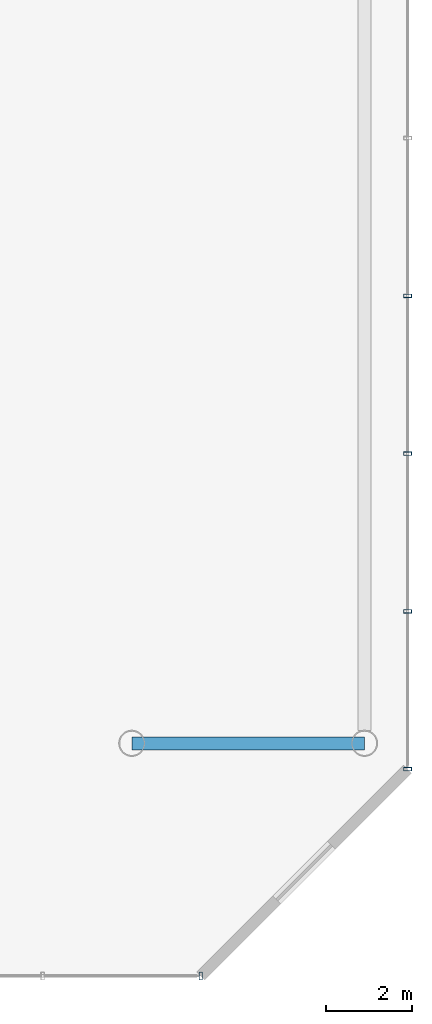
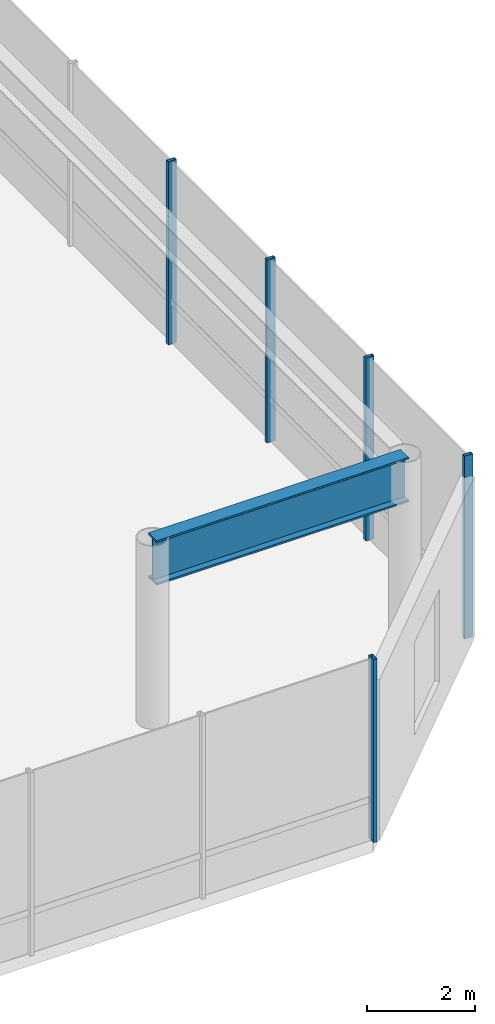
# One storey, part 26 of 37: 5 members, 1 beam, 2 elements without a shape of their own.
"""IFC4 building model written with IfcOpenShell, lengths in metres."""

import ifcopenshell
import ifcopenshell.guid

model = None  # the IFC model being written
_history = None  # IfcOwnerHistory: only IFC2X3 demands one
_inside = {}  # id of a spatial element -> (the spatial element, [elements in it])
_under = {}  # id of a project, library or spatial element -> (it, [spatial elements below it])
_declared = {}  # id of a project -> (the project, [libraries it declares])
_typed = {}  # id of a type object -> (the type object, [elements of that type])
_made_of = {}  # id of a material, layer set ... -> (it, [elements and type objects made of it])


def new_model(schema):
    """Start an empty IFC model of exactly this schema.

    Asked for "IFC4X3", IfcOpenShell would pick the latest addendum, in which some entities
    have other attributes; the version numbers below select the first issue.
    IFC2X3 requires an IfcOwnerHistory on every rooted entity: one is made here for all.
    """
    global model, _history
    if schema == "IFC4X3":
        model = ifcopenshell.file(schema_version=(4, 3, 0, 0))
    else:
        model = ifcopenshell.file(schema=schema)
    _inside.clear()
    _under.clear()
    _declared.clear()
    _typed.clear()
    _made_of.clear()
    _history = None
    if model.schema == "IFC2X3":
        org = make("IfcOrganization", Name="unknown")
        user = make(
            "IfcPersonAndOrganization",
            ThePerson=make("IfcPerson", FamilyName="unknown"),
            TheOrganization=org,
        )
        app = make(
            "IfcApplication",
            ApplicationDeveloper=org,
            Version="unknown",
            ApplicationFullName="unknown",
            ApplicationIdentifier="unknown",
        )
        _history = make(
            "IfcOwnerHistory",
            OwningUser=user,
            OwningApplication=app,
            ChangeAction="ADDED",
            CreationDate=0,
        )
    return model


def make(cls, **values):
    """One entity of the class cls with the attributes given. An attribute that is None is left unset."""
    return model.create_entity(
        cls, **{name: value for name, value in values.items() if value is not None}
    )


def rooted(cls, **values):
    """An entity with a GlobalId (a new one), such as an element, a storey or a relation."""
    return make(cls, GlobalId=ifcopenshell.guid.new(), OwnerHistory=_history, **values)


def si_unit(unit_type, name, prefix=None):
    """IfcSIUnit, for example si_unit("LENGTHUNIT", "METRE", prefix="MILLI")."""
    return make("IfcSIUnit", UnitType=unit_type, Prefix=prefix, Name=name)


def assignment(units):
    """IfcUnitAssignment: the units of a project."""
    return None if units is None else make("IfcUnitAssignment", Units=units)


def point(xyz):
    """IfcCartesianPoint."""
    return None if xyz is None else make("IfcCartesianPoint", Coordinates=xyz)


def direction(xyz):
    """IfcDirection."""
    return None if xyz is None else make("IfcDirection", DirectionRatios=xyz)


def frame(location, z_axis=None, x_axis=None):
    """IfcAxis2Placement3D, a coordinate frame: its origin and axes. An axis left out is left unset."""
    return make(
        "IfcAxis2Placement3D",
        Location=point(location),
        Axis=direction(z_axis),
        RefDirection=direction(x_axis),
    )


def frame_2d(location, x_axis=None):
    """IfcAxis2Placement2D, a coordinate frame in the plane: its origin and x axis."""
    return make(
        "IfcAxis2Placement2D", Location=point(location), RefDirection=direction(x_axis)
    )


def origin():
    """The frame at (0, 0, 0) with its axes left unset."""
    return frame((0.0, 0.0, 0.0))


def origin_2d():
    """The frame at (0, 0) in the plane with its x axis left unset."""
    return frame_2d((0.0, 0.0))


def place(relative_to, where):
    """IfcLocalPlacement: puts the frame where relative to a parent placement (None: the world)."""
    return make(
        "IfcLocalPlacement", PlacementRelTo=relative_to, RelativePlacement=where
    )


def context(
    kind, dimensions, precision=None, world=None, true_north=None, identifier=None
):
    """IfcGeometricRepresentationContext, for example the 3D "Model" context."""
    return make(
        "IfcGeometricRepresentationContext",
        ContextIdentifier=identifier,
        ContextType=kind,
        CoordinateSpaceDimension=dimensions,
        Precision=precision,
        WorldCoordinateSystem=world,
        TrueNorth=true_north,
    )


def subcontext(parent, identifier, kind, view, scale=None):
    """IfcGeometricRepresentationSubContext, for example "Body" below "Model"."""
    return make(
        "IfcGeometricRepresentationSubContext",
        ContextIdentifier=identifier,
        ContextType=kind,
        ParentContext=parent,
        TargetScale=scale,
        TargetView=view,
    )


def project(units=None, contexts=None):
    """IfcProject with its units and contexts."""
    return rooted(
        "IfcProject",
        Name="project",
        RepresentationContexts=contexts,
        UnitsInContext=assignment(units),
    )


def spatial(cls, under=None, at=None, **own):
    """A site, building, storey or space (cls), placed at a placement, below another one or the project."""
    s = rooted(cls, ObjectPlacement=at, **own)
    if under is not None:
        _under.setdefault(under.id(), (under, []))[1].append(s)
    return s


def profile(cls, at=None, kind="AREA", **sizes):
    """A parametric profile (cls). Its sizes go by their IFC names, for example OverallWidth=200.0."""
    return make(cls, ProfileType=kind, Position=at, **sizes)


def hollow_rectangle(**sizes):
    """IfcRectangleHollowProfileDef."""
    return profile("IfcRectangleHollowProfileDef", **sizes)


def i_section(**sizes):
    """IfcIShapeProfileDef."""
    return profile("IfcIShapeProfileDef", **sizes)


def extrude(swept, where, along, depth):
    """IfcExtrudedAreaSolid: the profile swept, set in the frame where, extruded along a direction by depth."""
    return make(
        "IfcExtrudedAreaSolid",
        SweptArea=swept,
        Position=where,
        ExtrudedDirection=direction(along),
        Depth=depth,
    )


def shape(context_of_items, identifier, shape_type, items):
    """IfcShapeRepresentation: the items that make up one representation, for example the "Body"."""
    return make(
        "IfcShapeRepresentation",
        ContextOfItems=context_of_items,
        RepresentationIdentifier=identifier,
        RepresentationType=shape_type,
        Items=items,
    )


def material(Name=None, Category=None):
    """IfcMaterial."""
    return make("IfcMaterial", Name=Name, Category=Category)


def layer(
    of_material, thickness, ventilated=None, Name=None, Category=None, Priority=None
):
    """IfcMaterialLayer: one layer of a wall or slab, of a material (None: an air gap)."""
    return make(
        "IfcMaterialLayer",
        Material=of_material,
        LayerThickness=thickness,
        IsVentilated=ventilated,
        Name=Name,
        Category=Category,
        Priority=Priority,
    )


def layer_set(layers, Name=None):
    """IfcMaterialLayerSet."""
    return make("IfcMaterialLayerSet", MaterialLayers=layers, LayerSetName=Name)


def material_profile(
    of_material, cross_section, Name=None, Category=None, Priority=None
):
    """IfcMaterialProfile: a cross section and its material."""
    return make(
        "IfcMaterialProfile",
        Name=Name,
        Material=of_material,
        Profile=cross_section,
        Priority=Priority,
        Category=Category,
    )


def profile_set(profiles, Name=None, composite=None):
    """IfcMaterialProfileSet."""
    return make(
        "IfcMaterialProfileSet",
        Name=Name,
        MaterialProfiles=profiles,
        CompositeProfile=composite,
    )


def made_of(thing, what):
    """Note that an element or type object is made of a material, layer set ...; save() writes the relation."""
    if what is not None:
        _made_of.setdefault(what.id(), (what, []))[1].append(thing)
    return thing


def type_object(cls, material=None, **own):
    """A type object (cls), such as IfcWallType, which elements share."""
    return made_of(rooted(cls, **own), material)


def element(
    cls,
    number,
    at=None,
    inside=None,
    cuts=None,
    type_object=None,
    material=None,
    context=None,
    identifier="Body",
    shape_type=None,
    held_by="IfcProductDefinitionShape",
    body=None,
    shapes=None,
    **own,
):
    """One element of the class cls, such as IfcWall. Its Tag is "e" and its number.

    at: its placement. inside: the storey or other place that contains it. cuts: it is an
    opening in that element (IfcRelVoidsElement). A single representation is given by context,
    identifier, shape_type and body (its items); several are given by shapes. held_by: the class
    of the entity that holds the representations. save() writes the other relations.
    """
    e = rooted(cls, Tag="e%d" % number, ObjectPlacement=at, **own)
    if body is not None:
        shapes = [shape(context, identifier, shape_type, body)]
    if shapes is not None:
        e.Representation = make(held_by, Representations=shapes)
    if inside is not None:
        _inside.setdefault(inside.id(), (inside, []))[1].append(e)
    if cuts is not None:
        rooted(
            "IfcRelVoidsElement", RelatingBuildingElement=cuts, RelatedOpeningElement=e
        )
    if type_object is not None:
        _typed.setdefault(type_object.id(), (type_object, []))[1].append(e)
    return made_of(e, material)


def aggregate(whole, parts):
    """IfcRelAggregates: a whole, such as a stair, and the parts it consists of."""
    return rooted("IfcRelAggregates", RelatingObject=whole, RelatedObjects=parts)


def save(model, path):
    """Write the relations noted so far, then the file.

    IfcRelAggregates (storeys below a building ...), IfcRelContainedInSpatialStructure (elements
    in a storey), IfcRelDefinesByType, IfcRelAssociatesMaterial and IfcRelDeclares: one each for
    every whole, place, type object, material and project.
    """
    for whole, parts in _under.values():
        aggregate(whole, parts)
    for where, things in _inside.values():
        rooted(
            "IfcRelContainedInSpatialStructure",
            RelatedElements=things,
            RelatingStructure=where,
        )
    for kind, things in _typed.values():
        rooted("IfcRelDefinesByType", RelatedObjects=things, RelatingType=kind)
    for what, things in _made_of.values():
        rooted("IfcRelAssociatesMaterial", RelatedObjects=things, RelatingMaterial=what)
    for by, libraries in _declared.values():
        rooted("IfcRelDeclares", RelatingContext=by, RelatedDefinitions=libraries)
    model.write(path)


model = new_model("IFC4")

# Units and contexts
model_context = context("Model", 3, precision=1e-05, world=origin(), true_north=direction((0.0, 1.0)))
body_context = subcontext(model_context, "Body", "Model", "MODEL_VIEW")
ifc_project = project(units=[si_unit("LENGTHUNIT", "METRE"), si_unit("AREAUNIT", "SQUARE_METRE"), si_unit("VOLUMEUNIT", "CUBIC_METRE"), si_unit("PLANEANGLEUNIT", "RADIAN"), si_unit("MASSUNIT", "GRAM", prefix="KILO")], contexts=[model_context])

# Site, building, storey
site_placement = place(None, origin())
site = spatial("IfcSite", under=ifc_project, at=site_placement, CompositionType="ELEMENT")
building_placement = place(site_placement, origin())
building = spatial("IfcBuilding", under=site, at=building_placement, Name="Zarrinselat Tower", CompositionType="ELEMENT")
storey_placement = place(building_placement, frame((0.0, 0.0, 9.52001953125)))
storey = spatial("IfcBuildingStorey", under=building, at=storey_placement, Name="L02", CompositionType="ELEMENT", Elevation=9.52001953125)

# Beam
ifc_material_1 = material(Name="Steel S460M", Category="steel")
ifc_material_profile_1 = material_profile(ifc_material_1, i_section(OverallWidth=0.302001953125, OverallDepth=1.008056640625, WebThickness=0.02099609375, FlangeThickness=0.0400390625, at=origin_2d()), Name="HEM 1000")
ifc_profile_set_1 = profile_set([ifc_material_profile_1], Name="Steel S460M")
beam_type = type_object("IfcBeamType", Name="BM-PDTR-HEM1000", PredefinedType="BEAM", material=ifc_profile_set_1)
beam_placement = place(storey_placement, frame((68.0, 11.0, 3.635986328125), z_axis=(1.0, 0.0, 0.0), x_axis=(0.0, 1.0, 0.0)))
element("IfcBeam", 1, at=beam_placement, inside=storey, type_object=beam_type, Name="L02 Podium Transfer Girder E-11", PredefinedType="BEAM", context=body_context, shape_type="SweptSolid", body=[
    extrude(i_section(OverallWidth=0.302001953125, OverallDepth=1.008056640625, WebThickness=0.02099609375, FlangeThickness=0.0400390625, at=origin_2d()), origin(), (0.0, 0.0, 1.0), 5.39990234375),
])

# Curtain wall, member
ifc_material_2 = material(Name="Extruded Aluminium Alloy EN AW-6063 T6", Category="aluminium")
ifc_layer = layer(ifc_material_2, 0.2099609375)
ifc_layer_set = layer_set([ifc_layer], Name="Extruded Aluminium Alloy EN AW-6063 T6")
curtain_wall_type = type_object("IfcCurtainWallType", Name="CWS-POD", PredefinedType="NOTDEFINED", material=ifc_layer_set)
curtain_wall_1_placement = place(storey_placement, origin())
curtain_wall_1 = element("IfcCurtainWall", 2, at=curtain_wall_1_placement, inside=storey, type_object=curtain_wall_type, Name="L02 Unitised Curtain Wall CW-L02-F1", PredefinedType="NOTDEFINED")
ifc_material_3 = material(Name="Extruded Aluminium Alloy EN AW-6063 T6", Category="aluminium")
ifc_material_profile_2 = material_profile(ifc_material_3, hollow_rectangle(XDim=0.080078125, YDim=0.179931640625, WallThickness=0.0048828125, at=origin_2d()), Name="RHS 180x80x5")
ifc_profile_set_2 = profile_set([ifc_material_profile_2], Name="Extruded Aluminium Alloy EN AW-6063 T6")
member_type = type_object("IfcMemberType", Name="MEM-CW-MUL", PredefinedType="MULLION", material=ifc_profile_set_2)
member_1_placement = place(storey_placement, frame((69.60009765625, 5.60009765625, 0.0), z_axis=(0.0, 0.0, 1.0), x_axis=(1.0, 0.0, 0.0)))
member_1 = element("IfcMember", 3, at=member_1_placement, type_object=member_type, Name="CW-L02-F1 Mullion 17", PredefinedType="MULLION", context=body_context, shape_type="SweptSolid", body=[
    extrude(hollow_rectangle(XDim=0.080078125, YDim=0.179931640625, WallThickness=0.0048828125, at=origin_2d()), origin(), (0.0, 0.0, 1.0), 4.139892578125),
])
aggregate(curtain_wall_1, [member_1])

# Curtain wall, members
curtain_wall_2_placement = place(storey_placement, origin())
curtain_wall_2 = element("IfcCurtainWall", 4, at=curtain_wall_2_placement, inside=storey, type_object=curtain_wall_type, Name="L02 Unitised Curtain Wall CW-L02-F3", PredefinedType="NOTDEFINED")
member_2_placement = place(storey_placement, frame((74.39990234375, 10.39990234375, 0.0), z_axis=(0.0, 0.0, 1.0), x_axis=(0.0, 1.0, 0.0)))
member_2 = element("IfcMember", 5, at=member_2_placement, type_object=member_type, Name="CW-L02-F3 Mullion 0", PredefinedType="MULLION", context=body_context, shape_type="SweptSolid", body=[
    extrude(hollow_rectangle(XDim=0.080078125, YDim=0.179931640625, WallThickness=0.0048828125, at=origin_2d()), origin(), (0.0, 0.0, 1.0), 4.139892578125),
])
member_3_placement = place(storey_placement, frame((74.39990234375, 14.06005859375, 0.0), z_axis=(0.0, 0.0, 1.0), x_axis=(0.0, 1.0, 0.0)))
member_3 = element("IfcMember", 6, at=member_3_placement, type_object=member_type, Name="CW-L02-F3 Mullion 1", PredefinedType="MULLION", context=body_context, shape_type="SweptSolid", body=[
    extrude(hollow_rectangle(XDim=0.080078125, YDim=0.179931640625, WallThickness=0.0048828125, at=origin_2d()), origin(), (0.0, 0.0, 1.0), 4.139892578125),
])
member_4_placement = place(storey_placement, frame((74.39990234375, 17.719970703125, 0.0), z_axis=(0.0, 0.0, 1.0), x_axis=(0.0, 1.0, 0.0)))
member_4 = element("IfcMember", 7, at=member_4_placement, type_object=member_type, Name="CW-L02-F3 Mullion 2", PredefinedType="MULLION", context=body_context, shape_type="SweptSolid", body=[
    extrude(hollow_rectangle(XDim=0.080078125, YDim=0.179931640625, WallThickness=0.0048828125, at=origin_2d()), origin(), (0.0, 0.0, 1.0), 4.139892578125),
])
member_5_placement = place(storey_placement, frame((74.39990234375, 21.3798828125, 0.0), z_axis=(0.0, 0.0, 1.0), x_axis=(0.0, 1.0, 0.0)))
member_5 = element("IfcMember", 8, at=member_5_placement, type_object=member_type, Name="CW-L02-F3 Mullion 3", PredefinedType="MULLION", context=body_context, shape_type="SweptSolid", body=[
    extrude(hollow_rectangle(XDim=0.080078125, YDim=0.179931640625, WallThickness=0.0048828125, at=origin_2d()), origin(), (0.0, 0.0, 1.0), 4.139892578125),
])
aggregate(curtain_wall_2, [member_2, member_3, member_4, member_5])

save(model, "model.ifc")
